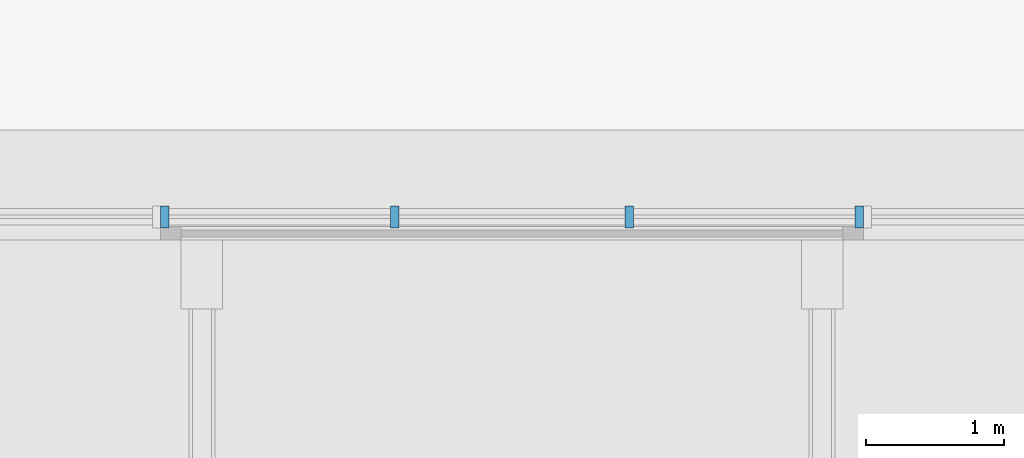
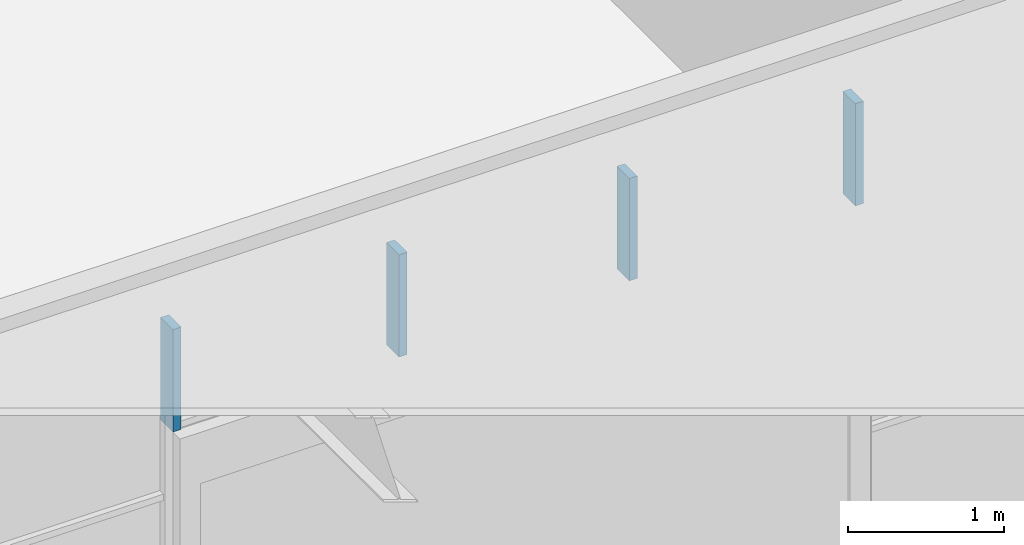
# One storey, part 70 of 168: 4 members, 1 element without a shape of its own.
"""IFC4 building model written with IfcOpenShell, lengths in metres."""

from ifc_helpers import new_model, si_unit, direction, frame, origin, origin_2d, place, context, subcontext, project, spatial, rectangle, extrude, material, material_profile, profile_set, type_object, element, aggregate, save


model = new_model("IFC4")

# Units and contexts
model_context = context("Model", 3, precision=1e-05, world=origin(), true_north=direction((0.0, 1.0)))
body_context = subcontext(model_context, "Body", "Model", "MODEL_VIEW")
ifc_project = project(units=[si_unit("LENGTHUNIT", "METRE"), si_unit("AREAUNIT", "SQUARE_METRE"), si_unit("VOLUMEUNIT", "CUBIC_METRE"), si_unit("PLANEANGLEUNIT", "RADIAN"), si_unit("MASSUNIT", "GRAM", prefix="KILO")], contexts=[model_context])

# Site, building, storey
site_placement = place(None, origin())
site = spatial("IfcSite", under=ifc_project, at=site_placement, CompositionType="ELEMENT")
building_placement = place(site_placement, origin())
building = spatial("IfcBuilding", under=site, at=building_placement, Name="Silverbay Arena", CompositionType="ELEMENT")
storey_placement = place(building_placement, frame((0.0, 0.0, 7.0)))
storey = spatial("IfcBuildingStorey", under=building, at=storey_placement, Name="L01", CompositionType="ELEMENT", Elevation=7.0)

# Curtain wall, members
ifc_material_1 = material(Name="Aluminium framed curtain wall", Category="aluminium")
curtain_wall_type = type_object("IfcCurtainWallType", Name="Curtain wall 5100 x 800", PredefinedType="NOTDEFINED", material=ifc_material_1)
curtain_wall_placement = place(storey_placement, origin())
curtain_wall = element("IfcCurtainWall", 1, at=curtain_wall_placement, inside=storey, type_object=curtain_wall_type, Name="South curtain wall L01 bay 18", PredefinedType="NOTDEFINED")
ifc_material_2 = material(Name="Aluminium", Category="aluminium")
ifc_material_profile = material_profile(ifc_material_2, rectangle(XDim=0.159912109375, YDim=0.06005859375, at=origin_2d()), Name="Mullion 60 x 160")
ifc_profile_set = profile_set([ifc_material_profile], Name="Aluminium")
member_type = type_object("IfcMemberType", Name="Mullion 60 x 160", PredefinedType="MULLION", material=ifc_profile_set)
member_1_placement = place(storey_placement, frame((181.97998046875, 17.669921875, 3.10009765625), z_axis=(0.0, 0.0, 1.0), x_axis=(0.0, 1.0, 0.0)))
member_1 = element("IfcMember", 2, at=member_1_placement, type_object=member_type, Name="CW3 mullion 1", PredefinedType="MULLION", context=body_context, shape_type="SweptSolid", body=[
    extrude(rectangle(XDim=0.159912109375, YDim=0.06005859375, at=origin_2d()), origin(), (0.0, 0.0, 1.0), 0.7998046875),
])
member_2_placement = place(storey_placement, frame((183.64990234375, 17.669921875, 3.10009765625), z_axis=(0.0, 0.0, 1.0), x_axis=(0.0, 1.0, 0.0)))
member_2 = element("IfcMember", 3, at=member_2_placement, type_object=member_type, Name="CW3 mullion 2", PredefinedType="MULLION", context=body_context, shape_type="SweptSolid", body=[
    extrude(rectangle(XDim=0.159912109375, YDim=0.06005859375, at=origin_2d()), origin(), (0.0, 0.0, 1.0), 0.7998046875),
])
member_3_placement = place(storey_placement, frame((185.35009765625, 17.669921875, 3.10009765625), z_axis=(0.0, 0.0, 1.0), x_axis=(0.0, 1.0, 0.0)))
member_3 = element("IfcMember", 4, at=member_3_placement, type_object=member_type, Name="CW3 mullion 3", PredefinedType="MULLION", context=body_context, shape_type="SweptSolid", body=[
    extrude(rectangle(XDim=0.159912109375, YDim=0.06005859375, at=origin_2d()), origin(), (0.0, 0.0, 1.0), 0.7998046875),
])
member_4_placement = place(storey_placement, frame((187.02001953125, 17.669921875, 3.10009765625), z_axis=(0.0, 0.0, 1.0), x_axis=(0.0, 1.0, 0.0)))
member_4 = element("IfcMember", 5, at=member_4_placement, type_object=member_type, Name="CW3 mullion 4", PredefinedType="MULLION", context=body_context, shape_type="SweptSolid", body=[
    extrude(rectangle(XDim=0.159912109375, YDim=0.06005859375, at=origin_2d()), origin(), (0.0, 0.0, 1.0), 0.7998046875),
])
aggregate(curtain_wall, [member_1, member_2, member_3, member_4])

save(model, "model.ifc")
